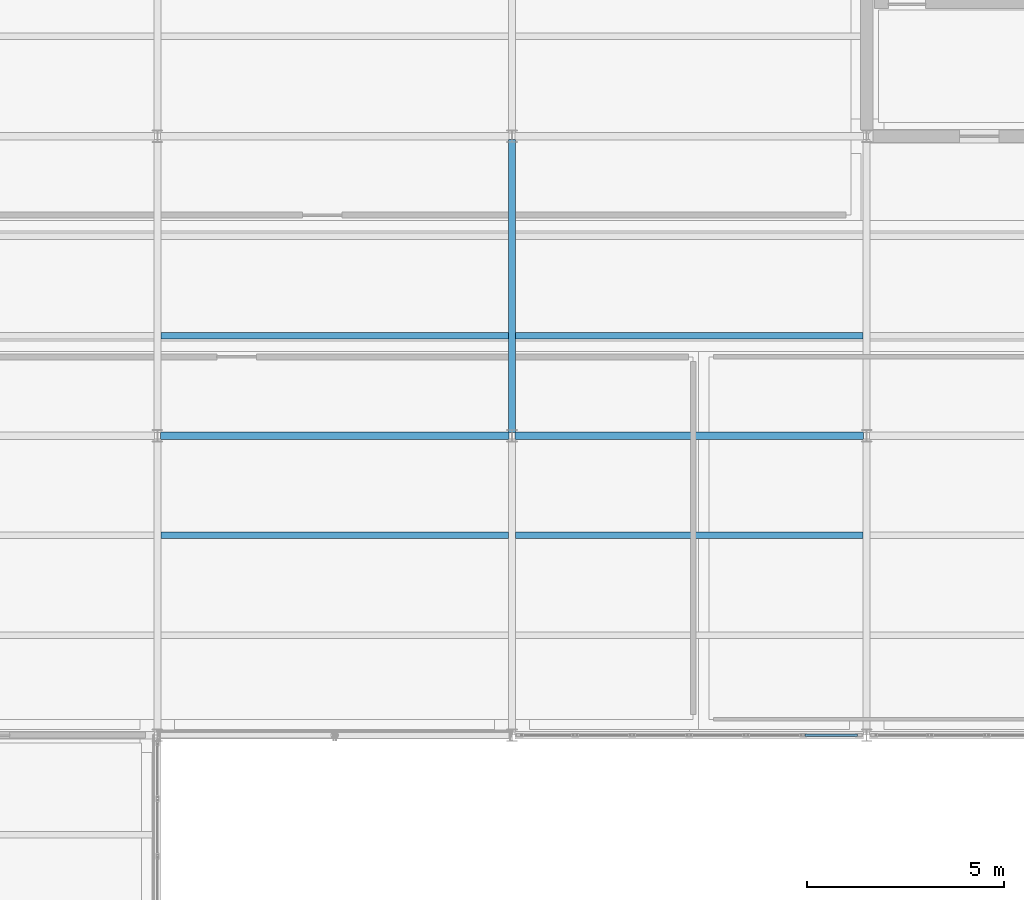
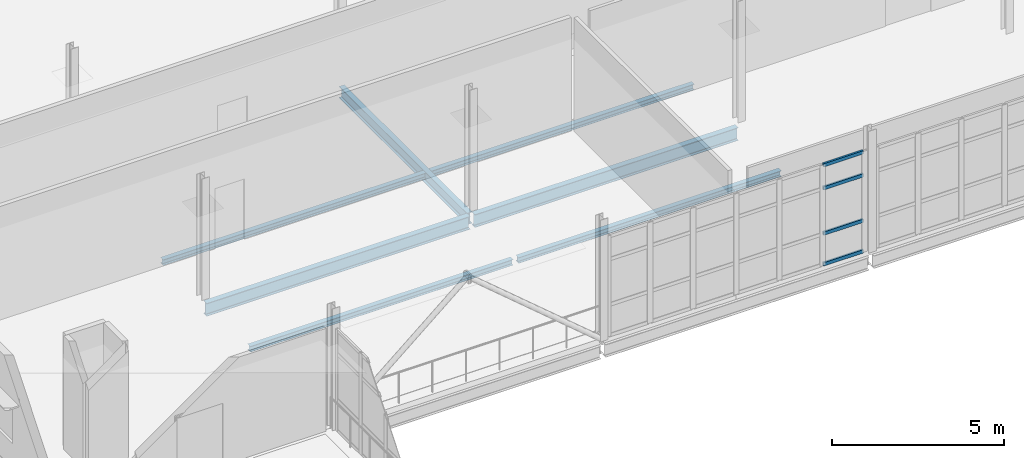
# One storey, part 85 of 174: 7 beams, 4 members, 1 element without a shape of its own.
"""IFC4 building model written with IfcOpenShell, lengths in metres."""

from ifc_helpers import new_model, si_unit, direction, frame, origin, origin_2d, place, context, subcontext, project, spatial, hollow_rectangle, i_section, extrude, material, material_profile, profile_set, type_object, element, aggregate, save


model = new_model("IFC4")

# Units and contexts
model_context = context("Model", 3, precision=1e-05, world=origin(), true_north=direction((0.0, 1.0)))
body_context = subcontext(model_context, "Body", "Model", "MODEL_VIEW")
ifc_project = project(units=[si_unit("LENGTHUNIT", "METRE"), si_unit("AREAUNIT", "SQUARE_METRE"), si_unit("VOLUMEUNIT", "CUBIC_METRE"), si_unit("PLANEANGLEUNIT", "RADIAN"), si_unit("MASSUNIT", "GRAM", prefix="KILO")], contexts=[model_context])

# Site, building, storey
site_placement = place(None, origin())
site = spatial("IfcSite", under=ifc_project, at=site_placement, CompositionType="ELEMENT")
building_placement = place(site_placement, origin())
building = spatial("IfcBuilding", under=site, at=building_placement, Name="Caisbarro Railhouse Central Library", CompositionType="ELEMENT")
storey_placement = place(building_placement, frame((0.0, 0.0, 5.0400390625)))
storey = spatial("IfcBuildingStorey", under=building, at=storey_placement, Name="L01", CompositionType="ELEMENT", Elevation=5.0400390625)

# Beams
ifc_material_1 = material(Name="Steel ASTM A572 Grade 50", Category="steel")
ifc_material_profile_1 = material_profile(ifc_material_1, i_section(OverallWidth=0.18994140625, OverallDepth=0.45703125, WebThickness=0.009033203125, FlangeThickness=0.014404296875, FilletRadius=0.01806640625, at=origin_2d()), Name="W460X74.0")
ifc_profile_set_1 = profile_set([ifc_material_profile_1], Name="Steel ASTM A572 Grade 50")
beam_type_1 = type_object("IfcBeamType", Name="BM-G08", PredefinedType="BEAM", material=ifc_profile_set_1)
for number, where, z_axis, x_axis, name in (
    (1, (63.080078125, 91.199951171875, -0.428466796875), (1.0, 0.0, 0.0), (0.0, 1.0, 0.0), "G08 beam L01 #1165"),
    (2, (72.080078125, 91.199951171875, -0.428466796875), (1.0, 0.0, 0.0), (0.0, 1.0, 0.0), "G08 beam L01 #1166"),
):
    element("IfcBeam", number, at=place(storey_placement, frame(where, z_axis=z_axis, x_axis=x_axis)), inside=storey, type_object=beam_type_1, Name=name, PredefinedType="BEAM", context=body_context, shape_type="SweptSolid", body=[
        extrude(i_section(OverallWidth=0.18994140625, OverallDepth=0.45703125, WebThickness=0.009033203125, FlangeThickness=0.014404296875, FilletRadius=0.01806640625, at=origin_2d()), origin(), (0.0, 0.0, 1.0), 8.83984375),
    ])
ifc_material_profile_2 = material_profile(ifc_material_1, i_section(OverallWidth=0.177978515625, OverallDepth=0.406982421875, WebThickness=0.0078125, FlangeThickness=0.0126953125, FilletRadius=0.01611328125, at=origin_2d()), Name="W410X60.0")
ifc_profile_set_2 = profile_set([ifc_material_profile_2], Name="Steel ASTM A572 Grade 50")
beam_type_2 = type_object("IfcBeamType", Name="BM-G10", PredefinedType="BEAM", material=ifc_profile_set_2)
beam_placement = place(storey_placement, frame((72.0, 91.280029296875, -0.403564453125), z_axis=(0.0, 1.0, 0.0), x_axis=(-1.0, 0.0, 0.0)))
element("IfcBeam", 3, at=beam_placement, inside=storey, type_object=beam_type_2, Name="G10 beam L01 #1193", PredefinedType="BEAM", context=body_context, shape_type="SweptSolid", body=[
    extrude(i_section(OverallWidth=0.177978515625, OverallDepth=0.406982421875, WebThickness=0.0078125, FlangeThickness=0.0126953125, FilletRadius=0.01611328125, at=origin_2d()), origin(), (0.0, 0.0, 1.0), 7.43994140625),
])
ifc_material_profile_3 = material_profile(ifc_material_1, i_section(OverallWidth=0.1650390625, OverallDepth=0.200927734375, WebThickness=0.006103515625, FlangeThickness=0.01025390625, FilletRadius=0.010009765625, at=origin_2d()), Name="W200X35.9")
ifc_profile_set_3 = profile_set([ifc_material_profile_3], Name="Steel ASTM A572 Grade 50")
beam_type_3 = type_object("IfcBeamType", Name="BM-J06", PredefinedType="JOIST", material=ifc_profile_set_3)
for number, where, z_axis, x_axis, name in (
    (4, (63.089111328125, 88.666748046875, -0.300537109375), (1.0, 0.0, 0.0), (0.0, 1.0, 0.0), "J06 beam L01 #1217"),
    (5, (63.089111328125, 93.7333984375, -0.300537109375), (1.0, 0.0, 0.0), (0.0, 1.0, 0.0), "J06 beam L01 #1218"),
    (6, (72.089111328125, 88.666748046875, -0.300537109375), (1.0, 0.0, 0.0), (0.0, 1.0, 0.0), "J06 beam L01 #1225"),
    (7, (72.089111328125, 93.7333984375, -0.300537109375), (1.0, 0.0, 0.0), (0.0, 1.0, 0.0), "J06 beam L01 #1226"),
):
    element("IfcBeam", number, at=place(storey_placement, frame(where, z_axis=z_axis, x_axis=x_axis)), inside=storey, type_object=beam_type_3, Name=name, PredefinedType="JOIST", context=body_context, shape_type="SweptSolid", body=[
        extrude(i_section(OverallWidth=0.1650390625, OverallDepth=0.200927734375, WebThickness=0.006103515625, FlangeThickness=0.01025390625, FilletRadius=0.010009765625, at=origin_2d()), origin(), (0.0, 0.0, 1.0), 8.82177734375),
    ])

# Curtain wall, members
ifc_material_2 = material(Name="Anodised architectural aluminium", Category="aluminium")
curtain_wall_type = type_object("IfcCurtainWallType", Name="CW-CW02", PredefinedType="NOTDEFINED", material=ifc_material_2)
curtain_wall_placement = place(storey_placement, origin())
curtain_wall = element("IfcCurtainWall", 8, at=curtain_wall_placement, inside=storey, type_object=curtain_wall_type, Name="CW02 curtain wall L01 #174", PredefinedType="NOTDEFINED")
ifc_material_profile_4 = material_profile(ifc_material_2, hollow_rectangle(XDim=0.06494140625, YDim=0.1201171875, WallThickness=0.00341796875, at=origin_2d()), Name="ALU-TRN-65X120")
ifc_profile_set_4 = profile_set([ifc_material_profile_4], Name="Anodised architectural aluminium")
member_type = type_object("IfcMemberType", Name="CWT-T02", PredefinedType="USERDEFINED", material=ifc_profile_set_4)
member_1_placement = place(storey_placement, frame((79.430908203125, 83.60009765625, 0.032470703125), z_axis=(1.0, 0.0, 0.0), x_axis=(0.0, 1.0, 0.0)))
member_1 = element("IfcMember", 9, at=member_1_placement, type_object=member_type, Name="CW02 transom 6.1", ObjectType="TRANSOM", PredefinedType="USERDEFINED", context=body_context, shape_type="SweptSolid", body=[
    extrude(hollow_rectangle(XDim=0.06494140625, YDim=0.1201171875, WallThickness=0.00341796875, at=origin_2d()), origin(), (0.0, 0.0, 1.0), 1.333984375),
])
member_2_placement = place(storey_placement, frame((79.430908203125, 83.60009765625, 1.119873046875), z_axis=(1.0, 0.0, 0.0), x_axis=(0.0, 1.0, 0.0)))
member_2 = element("IfcMember", 10, at=member_2_placement, type_object=member_type, Name="CW02 transom 6.2", ObjectType="TRANSOM", PredefinedType="USERDEFINED", context=body_context, shape_type="SweptSolid", body=[
    extrude(hollow_rectangle(XDim=0.06494140625, YDim=0.1201171875, WallThickness=0.00341796875, at=origin_2d()), origin(), (0.0, 0.0, 1.0), 1.333984375),
])
member_3_placement = place(storey_placement, frame((79.430908203125, 83.60009765625, 2.72998046875), z_axis=(1.0, 0.0, 0.0), x_axis=(0.0, 1.0, 0.0)))
member_3 = element("IfcMember", 11, at=member_3_placement, type_object=member_type, Name="CW02 transom 6.3", ObjectType="TRANSOM", PredefinedType="USERDEFINED", context=body_context, shape_type="SweptSolid", body=[
    extrude(hollow_rectangle(XDim=0.06494140625, YDim=0.1201171875, WallThickness=0.00341796875, at=origin_2d()), origin(), (0.0, 0.0, 1.0), 1.333984375),
])
member_4_placement = place(storey_placement, frame((79.430908203125, 83.60009765625, 3.54736328125), z_axis=(1.0, 0.0, 0.0), x_axis=(0.0, 1.0, 0.0)))
member_4 = element("IfcMember", 12, at=member_4_placement, type_object=member_type, Name="CW02 transom 6.4", ObjectType="TRANSOM", PredefinedType="USERDEFINED", context=body_context, shape_type="SweptSolid", body=[
    extrude(hollow_rectangle(XDim=0.06494140625, YDim=0.1201171875, WallThickness=0.00341796875, at=origin_2d()), origin(), (0.0, 0.0, 1.0), 1.333984375),
])
aggregate(curtain_wall, [member_1, member_2, member_3, member_4])

save(model, "model.ifc")
